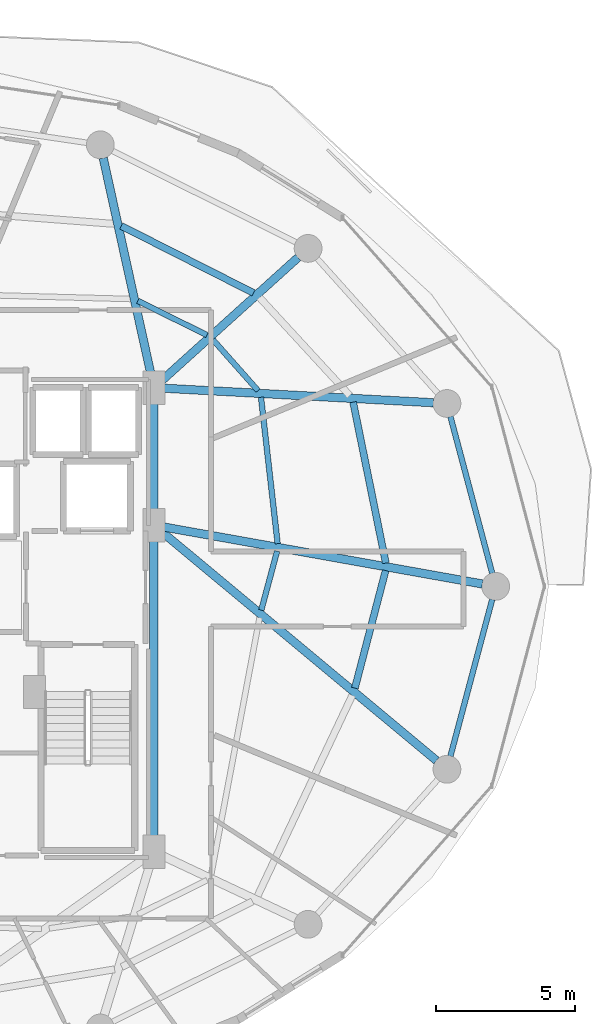
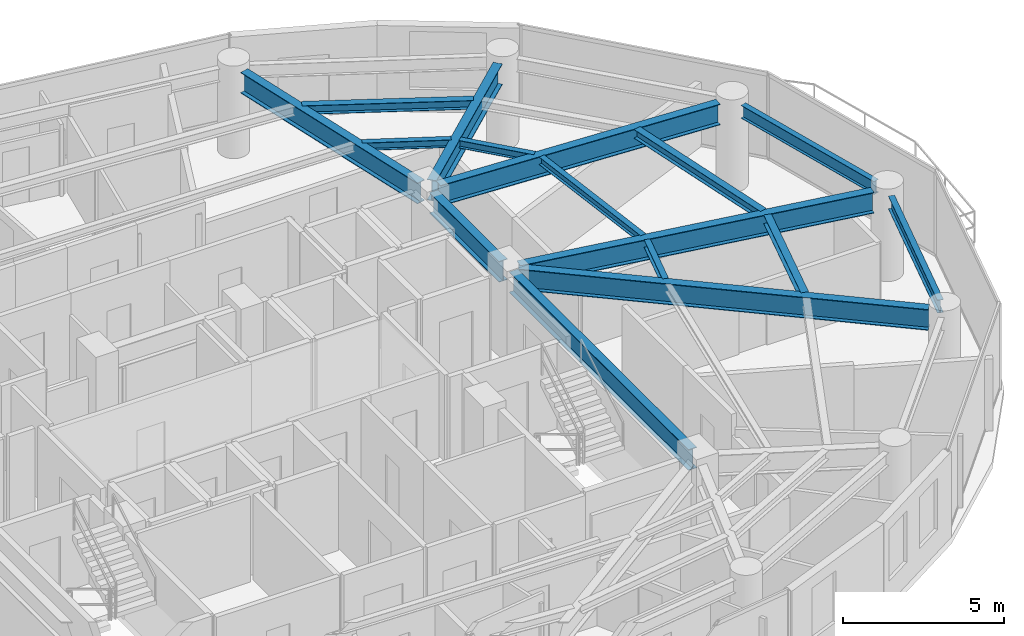
# One storey, part 12 of 28: 16 beams.
"""IFC4 building model written with IfcOpenShell, lengths in metres."""

from ifc_helpers import new_model, si_unit, direction, frame, origin, origin_2d, place, context, subcontext, project, spatial, i_section, extrude, material, material_profile, profile_set, type_object, element, save


model = new_model("IFC4")

# Units and contexts
model_context = context("Model", 3, precision=1e-05, world=origin(), true_north=direction((0.0, 1.0)))
body_context = subcontext(model_context, "Body", "Model", "MODEL_VIEW")
ifc_project = project(units=[si_unit("LENGTHUNIT", "METRE"), si_unit("AREAUNIT", "SQUARE_METRE"), si_unit("VOLUMEUNIT", "CUBIC_METRE"), si_unit("PLANEANGLEUNIT", "RADIAN"), si_unit("MASSUNIT", "GRAM", prefix="KILO")], contexts=[model_context])

# Site, building, storey
site_placement = place(None, origin())
site = spatial("IfcSite", under=ifc_project, at=site_placement, CompositionType="ELEMENT")
building_placement = place(site_placement, origin())
building = spatial("IfcBuilding", under=site, at=building_placement, Name="Vorneva Point Tower", CompositionType="ELEMENT")
storey_placement = place(building_placement, frame((0.0, 0.0, 164.10009765625)))
storey = spatial("IfcBuildingStorey", under=building, at=storey_placement, Name="L44", CompositionType="ELEMENT", Elevation=164.10009765625)

# Beams
ifc_material = material(Name="Steel S355", Category="steel")
ifc_material_profile_1 = material_profile(ifc_material, i_section(OverallWidth=0.300048828125, OverallDepth=0.7880859375, WebThickness=0.014404296875, FlangeThickness=0.02197265625, at=origin_2d()), Name="80Sh1")
ifc_profile_set_1 = profile_set([ifc_material_profile_1], Name="Steel S355")
beam_type_1 = type_object("IfcBeamType", Name="BM-GRD-80Sh1", PredefinedType="USERDEFINED", material=ifc_profile_set_1)
beam_1_placement = place(storey_placement, frame((60.569580078125, 26.0859375, 2.845947265625), z_axis=(-0.984378132756, 0.176067293249, 0.0), x_axis=(-0.176067293249, -0.984378132756, 0.0)))
element("IfcBeam", 1, at=beam_1_placement, inside=storey, type_object=beam_type_1, Name="L44 Radial Primary Girder 01", ObjectType="GIRDER", PredefinedType="USERDEFINED", context=body_context, shape_type="SweptSolid", body=[
    extrude(i_section(OverallWidth=0.300048828125, OverallDepth=0.7880859375, WebThickness=0.014404296875, FlangeThickness=0.02197265625, at=origin_2d()), origin(), (0.0, 0.0, 1.0), 11.667236328125),
])
beam_2_placement = place(storey_placement, frame((58.80810546875, 32.6083984375, 2.845947265625), z_axis=(-0.998554051908, 0.053756910424, 0.0), x_axis=(-0.053756910424, -0.998554051908, 0.0)))
element("IfcBeam", 2, at=beam_2_placement, inside=storey, type_object=beam_type_1, Name="L44 Radial Primary Girder 02", ObjectType="GIRDER", PredefinedType="USERDEFINED", context=body_context, shape_type="SweptSolid", body=[
    extrude(i_section(OverallWidth=0.300048828125, OverallDepth=0.7880859375, WebThickness=0.014404296875, FlangeThickness=0.02197265625, at=origin_2d()), origin(), (0.0, 0.0, 1.0), 9.732666015625),
])
beam_3_placement = place(storey_placement, frame((53.936767578125, 37.835205078125, 2.845947265625), z_axis=(-0.742084379637, -0.670306477292, 0.0), x_axis=(0.670306477292, -0.742084379637, 0.0)))
element("IfcBeam", 3, at=beam_3_placement, inside=storey, type_object=beam_type_1, Name="L44 Radial Primary Girder 03", ObjectType="GIRDER", PredefinedType="USERDEFINED", context=body_context, shape_type="SweptSolid", body=[
    extrude(i_section(OverallWidth=0.300048828125, OverallDepth=0.7880859375, WebThickness=0.014404296875, FlangeThickness=0.02197265625, at=origin_2d()), origin(), (0.0, 0.0, 1.0), 6.649658203125),
])
beam_4_placement = place(storey_placement, frame((46.926025390625, 41.414306640625, 2.845947265625), z_axis=(0.215520500859, -0.976499315775, 0.0), x_axis=(0.976499315775, 0.215520500859, 0.0)))
element("IfcBeam", 4, at=beam_4_placement, inside=storey, type_object=beam_type_1, Name="L44 Radial Primary Girder 04", ObjectType="GIRDER", PredefinedType="USERDEFINED", context=body_context, shape_type="SweptSolid", body=[
    extrude(i_section(OverallWidth=0.300048828125, OverallDepth=0.7880859375, WebThickness=0.014404296875, FlangeThickness=0.02197265625, at=origin_2d()), origin(), (0.0, 0.0, 1.0), 8.123291015625),
])
beam_5_placement = place(storey_placement, frame((58.92041015625, 19.72998046875, 2.845947265625), z_axis=(-0.76841987547, 0.639946009428, 0.0), x_axis=(-0.639946009428, -0.76841987547, 0.0)))
element("IfcBeam", 5, at=beam_5_placement, inside=storey, type_object=beam_type_1, Name="L44 Radial Primary Girder 16", ObjectType="GIRDER", PredefinedType="USERDEFINED", context=body_context, shape_type="SweptSolid", body=[
    extrude(i_section(OverallWidth=0.300048828125, OverallDepth=0.7880859375, WebThickness=0.014404296875, FlangeThickness=0.02197265625, at=origin_2d()), origin(), (0.0, 0.0, 1.0), 12.8955078125),
])
beam_6_placement = place(storey_placement, frame((48.75, 16.77001953125, 2.845947265625), z_axis=(0.0, 1.0, 0.0), x_axis=(-1.0, 0.0, 0.0)))
element("IfcBeam", 6, at=beam_6_placement, inside=storey, type_object=beam_type_1, Name="L44 Core Tie Girder CT3", ObjectType="GIRDER", PredefinedType="USERDEFINED", context=body_context, shape_type="SweptSolid", body=[
    extrude(i_section(OverallWidth=0.300048828125, OverallDepth=0.7880859375, WebThickness=0.014404296875, FlangeThickness=0.02197265625, at=origin_2d()), origin(), (0.0, 0.0, 1.0), 11.10986328125),
])
beam_7_placement = place(storey_placement, frame((48.75, 28.52001953125, 2.845947265625), z_axis=(0.0, 1.0, 0.0), x_axis=(-1.0, 0.0, 0.0)))
element("IfcBeam", 7, at=beam_7_placement, inside=storey, type_object=beam_type_1, Name="L44 Core Tie Girder CT4", ObjectType="GIRDER", PredefinedType="USERDEFINED", context=body_context, shape_type="SweptSolid", body=[
    extrude(i_section(OverallWidth=0.300048828125, OverallDepth=0.7880859375, WebThickness=0.014404296875, FlangeThickness=0.02197265625, at=origin_2d()), origin(), (0.0, 0.0, 1.0), 4.31005859375),
])
ifc_material_profile_2 = material_profile(ifc_material, i_section(OverallWidth=0.199951171875, OverallDepth=0.291015625, WebThickness=0.008056640625, FlangeThickness=0.010986328125, at=origin_2d()), Name="30Sh1")
ifc_profile_set_2 = profile_set([ifc_material_profile_2], Name="Steel S355")
beam_type_2 = type_object("IfcBeamType", Name="BM-SEC-30Sh1", PredefinedType="BEAM", material=ifc_profile_set_2)
beam_8_placement = place(storey_placement, frame((53.20361328125, 27.53759765625, 3.094482421875), z_axis=(-0.113124562524, 0.993580813701, 0.0), x_axis=(-0.993580813701, -0.113124562524, 0.0)))
element("IfcBeam", 8, at=beam_8_placement, inside=storey, type_object=beam_type_2, Name="L44 Secondary Floor Beam 2.01", PredefinedType="BEAM", context=body_context, shape_type="SweptSolid", body=[
    extrude(i_section(OverallWidth=0.199951171875, OverallDepth=0.291015625, WebThickness=0.008056640625, FlangeThickness=0.010986328125, at=origin_2d()), origin(), (0.0, 0.0, 1.0), 5.302490234375),
])
beam_9_placement = place(storey_placement, frame((52.49658203125, 33.04638671875, 3.094482421875), z_axis=(-0.66365236786, 0.748041131646, 0.0), x_axis=(-0.748041131646, -0.66365236786, 0.0)))
element("IfcBeam", 9, at=beam_9_placement, inside=storey, type_object=beam_type_2, Name="L44 Secondary Floor Beam 2.02", PredefinedType="BEAM", context=body_context, shape_type="SweptSolid", body=[
    extrude(i_section(OverallWidth=0.199951171875, OverallDepth=0.291015625, WebThickness=0.008056640625, FlangeThickness=0.010986328125, at=origin_2d()), origin(), (0.0, 0.0, 1.0), 2.450439453125),
])
beam_10_placement = place(storey_placement, frame((50.655029296875, 35.043701171875, 3.094482421875), z_axis=(-0.895831018968, 0.444394853092, 0.0), x_axis=(-0.444394853092, -0.895831018968, 0.0)))
element("IfcBeam", 10, at=beam_10_placement, inside=storey, type_object=beam_type_2, Name="L44 Secondary Floor Beam 2.03", PredefinedType="BEAM", context=body_context, shape_type="SweptSolid", body=[
    extrude(i_section(OverallWidth=0.199951171875, OverallDepth=0.291015625, WebThickness=0.008056640625, FlangeThickness=0.010986328125, at=origin_2d()), origin(), (0.0, 0.0, 1.0), 2.77392578125),
])
beam_11_placement = place(storey_placement, frame((52.6142578125, 25.14501953125, 3.094482421875), z_axis=(0.259100758483, 0.965850297382, 0.0), x_axis=(-0.965850297382, 0.259100758483, 0.0)))
element("IfcBeam", 11, at=beam_11_placement, inside=storey, type_object=beam_type_2, Name="L44 Secondary Floor Beam 2.16", PredefinedType="BEAM", context=body_context, shape_type="SweptSolid", body=[
    extrude(i_section(OverallWidth=0.199951171875, OverallDepth=0.291015625, WebThickness=0.008056640625, FlangeThickness=0.010986328125, at=origin_2d()), origin(), (0.0, 0.0, 1.0), 2.197265625),
])
ifc_material_profile_3 = material_profile(ifc_material, i_section(OverallWidth=0.2490234375, OverallDepth=0.333984375, WebThickness=0.008056640625, FlangeThickness=0.010986328125, at=origin_2d()), Name="35Sh1")
ifc_profile_set_3 = profile_set([ifc_material_profile_3], Name="Steel S355")
beam_type_3 = type_object("IfcBeamType", Name="BM-SEC-35Sh1", PredefinedType="BEAM", material=ifc_profile_set_3)
beam_12_placement = place(storey_placement, frame((57.0966796875, 26.83740234375, 3.072998046875), z_axis=(-0.199077897851, 0.979983668531, 0.0), x_axis=(-0.979983668531, -0.199077897851, 0.0)))
element("IfcBeam", 12, at=beam_12_placement, inside=storey, type_object=beam_type_3, Name="L44 Secondary Floor Beam 1.01", PredefinedType="BEAM", context=body_context, shape_type="SweptSolid", body=[
    extrude(i_section(OverallWidth=0.2490234375, OverallDepth=0.333984375, WebThickness=0.008056640625, FlangeThickness=0.010986328125, at=origin_2d()), origin(), (0.0, 0.0, 1.0), 5.9111328125),
])
beam_13_placement = place(storey_placement, frame((52.333251953125, 36.560302734375, 3.072998046875), z_axis=(-0.891979436535, 0.452075972375, 0.0), x_axis=(-0.452075972375, -0.891979436535, 0.0)))
element("IfcBeam", 13, at=beam_13_placement, inside=storey, type_object=beam_type_3, Name="L44 Secondary Floor Beam 1.03", PredefinedType="BEAM", context=body_context, shape_type="SweptSolid", body=[
    extrude(i_section(OverallWidth=0.2490234375, OverallDepth=0.333984375, WebThickness=0.008056640625, FlangeThickness=0.010986328125, at=origin_2d()), origin(), (0.0, 0.0, 1.0), 5.335205078125),
])
beam_14_placement = place(storey_placement, frame((55.982666015625, 22.33935546875, 3.072998046875), z_axis=(0.253099315656, 0.967440301215, 0.0), x_axis=(-0.967440301215, 0.253099315656, 0.0)))
element("IfcBeam", 14, at=beam_14_placement, inside=storey, type_object=beam_type_3, Name="L44 Secondary Floor Beam 1.16", PredefinedType="BEAM", context=body_context, shape_type="SweptSolid", body=[
    extrude(i_section(OverallWidth=0.2490234375, OverallDepth=0.333984375, WebThickness=0.008056640625, FlangeThickness=0.010986328125, at=origin_2d()), origin(), (0.0, 0.0, 1.0), 4.37158203125),
])
ifc_material_profile_4 = material_profile(ifc_material, i_section(OverallWidth=0.199951171875, OverallDepth=0.491943359375, WebThickness=0.0087890625, FlangeThickness=0.011962890625, at=origin_2d()), Name="50B1")
ifc_profile_set_4 = profile_set([ifc_material_profile_4], Name="Steel S355")
beam_type_4 = type_object("IfcBeamType", Name="BM-SPN-50B1", PredefinedType="SPANDREL", material=ifc_profile_set_4)
for number, where, z_axis, x_axis, name in (
    (15, (60.925048828125, 26.468505859375, 2.993896484375), (-0.257550804648, 0.966264758245, 0.0), (-0.966264758245, -0.257550804648, 0.0), "L44 Perimeter Spandrel Ring Beam 01"),
    (16, (59.42041015625, 19.886474609375, 2.993896484375), (0.257550804648, 0.966264758245, 0.0), (-0.966264758245, 0.257550804648, 0.0), "L44 Perimeter Spandrel Ring Beam 16"),
):
    element("IfcBeam", number, at=place(storey_placement, frame(where, z_axis=z_axis, x_axis=x_axis)), inside=storey, type_object=beam_type_4, Name=name, PredefinedType="SPANDREL", context=body_context, shape_type="SweptSolid", body=[
        extrude(i_section(OverallWidth=0.199951171875, OverallDepth=0.491943359375, WebThickness=0.0087890625, FlangeThickness=0.011962890625, at=origin_2d()), origin(), (0.0, 0.0, 1.0), 5.842041015625),
    ])

save(model, "model.ifc")
